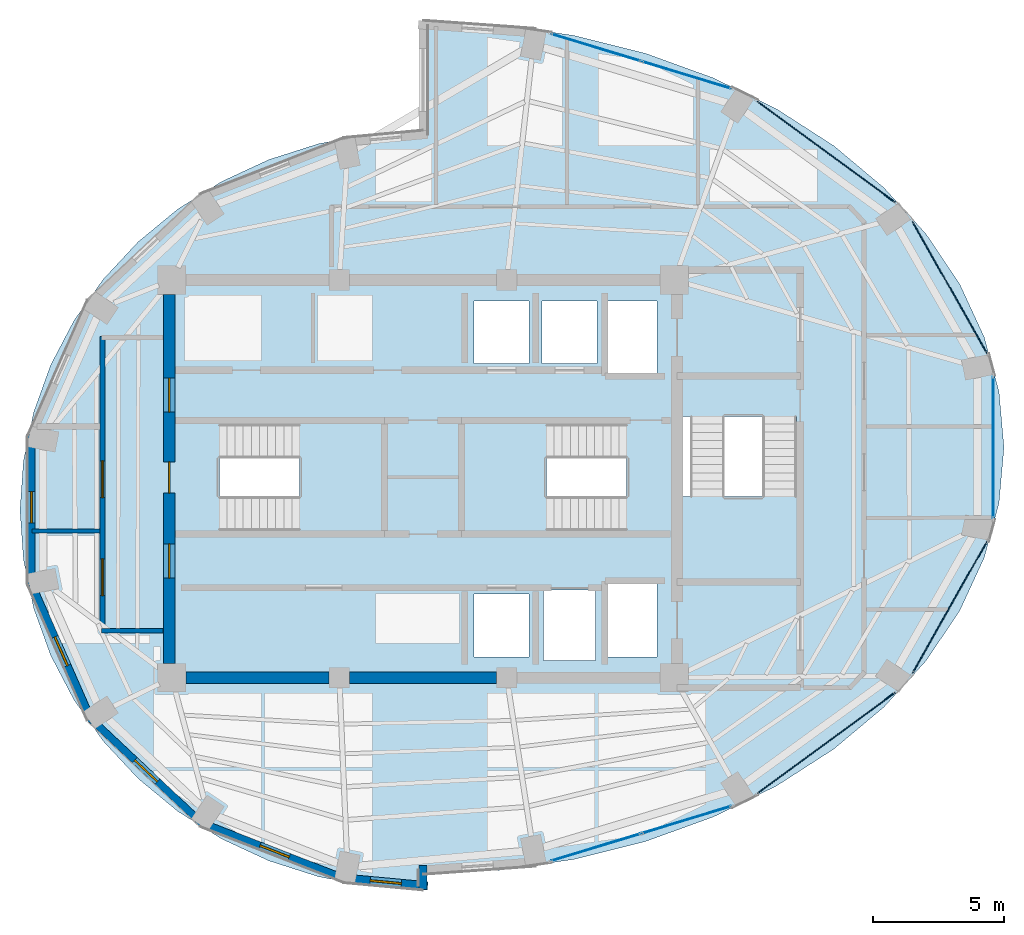
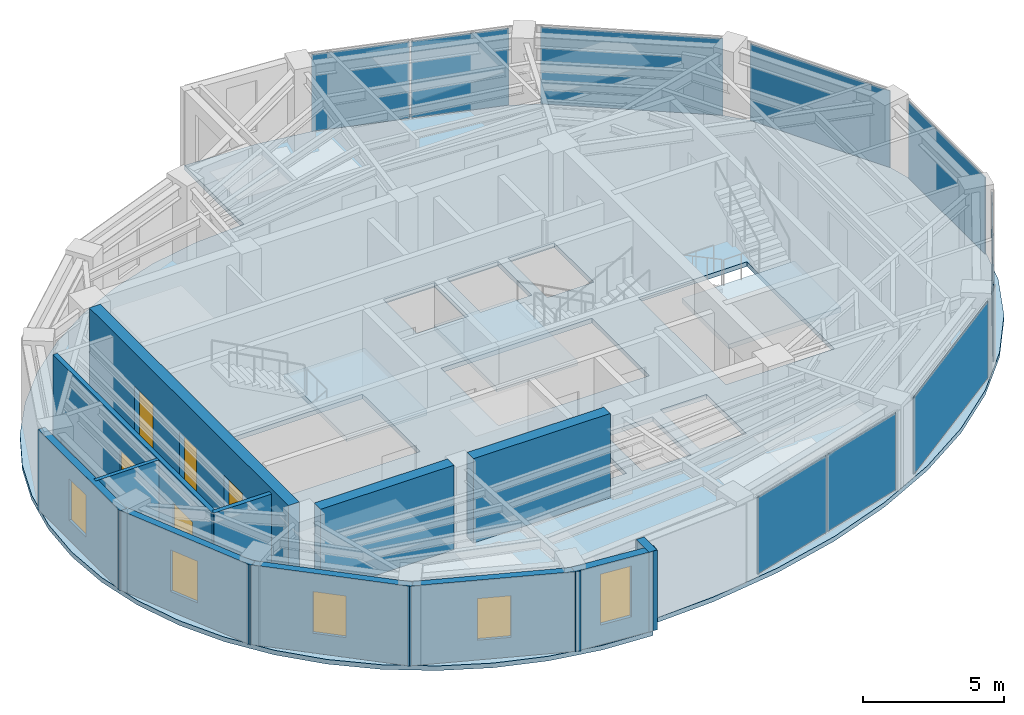
# One storey, part 8 of 13: 12 walls, 9 plates, 5 doors, 5 windows, 4 slabs, 10 openings, 10 elements without a shape of their own.
"""IFC4 building model written with IfcOpenShell, lengths in metres."""

import ifcopenshell
import ifcopenshell.guid

model = None  # the IFC model being written
_history = None  # IfcOwnerHistory: only IFC2X3 demands one
_inside = {}  # id of a spatial element -> (the spatial element, [elements in it])
_under = {}  # id of a project, library or spatial element -> (it, [spatial elements below it])
_declared = {}  # id of a project -> (the project, [libraries it declares])
_typed = {}  # id of a type object -> (the type object, [elements of that type])
_made_of = {}  # id of a material, layer set ... -> (it, [elements and type objects made of it])


def new_model(schema):
    """Start an empty IFC model of exactly this schema.

    Asked for "IFC4X3", IfcOpenShell would pick the latest addendum, in which some entities
    have other attributes; the version numbers below select the first issue.
    IFC2X3 requires an IfcOwnerHistory on every rooted entity: one is made here for all.
    """
    global model, _history
    if schema == "IFC4X3":
        model = ifcopenshell.file(schema_version=(4, 3, 0, 0))
    else:
        model = ifcopenshell.file(schema=schema)
    _inside.clear()
    _under.clear()
    _declared.clear()
    _typed.clear()
    _made_of.clear()
    _history = None
    if model.schema == "IFC2X3":
        org = make("IfcOrganization", Name="unknown")
        user = make(
            "IfcPersonAndOrganization",
            ThePerson=make("IfcPerson", FamilyName="unknown"),
            TheOrganization=org,
        )
        app = make(
            "IfcApplication",
            ApplicationDeveloper=org,
            Version="unknown",
            ApplicationFullName="unknown",
            ApplicationIdentifier="unknown",
        )
        _history = make(
            "IfcOwnerHistory",
            OwningUser=user,
            OwningApplication=app,
            ChangeAction="ADDED",
            CreationDate=0,
        )
    return model


def make(cls, **values):
    """One entity of the class cls with the attributes given. An attribute that is None is left unset."""
    return model.create_entity(
        cls, **{name: value for name, value in values.items() if value is not None}
    )


def rooted(cls, **values):
    """An entity with a GlobalId (a new one), such as an element, a storey or a relation."""
    return make(cls, GlobalId=ifcopenshell.guid.new(), OwnerHistory=_history, **values)


def si_unit(unit_type, name, prefix=None):
    """IfcSIUnit, for example si_unit("LENGTHUNIT", "METRE", prefix="MILLI")."""
    return make("IfcSIUnit", UnitType=unit_type, Prefix=prefix, Name=name)


def assignment(units):
    """IfcUnitAssignment: the units of a project."""
    return None if units is None else make("IfcUnitAssignment", Units=units)


def point(xyz):
    """IfcCartesianPoint."""
    return None if xyz is None else make("IfcCartesianPoint", Coordinates=xyz)


def direction(xyz):
    """IfcDirection."""
    return None if xyz is None else make("IfcDirection", DirectionRatios=xyz)


def frame(location, z_axis=None, x_axis=None):
    """IfcAxis2Placement3D, a coordinate frame: its origin and axes. An axis left out is left unset."""
    return make(
        "IfcAxis2Placement3D",
        Location=point(location),
        Axis=direction(z_axis),
        RefDirection=direction(x_axis),
    )


def frame_2d(location, x_axis=None):
    """IfcAxis2Placement2D, a coordinate frame in the plane: its origin and x axis."""
    return make(
        "IfcAxis2Placement2D", Location=point(location), RefDirection=direction(x_axis)
    )


def origin():
    """The frame at (0, 0, 0) with its axes left unset."""
    return frame((0.0, 0.0, 0.0))


def origin_2d():
    """The frame at (0, 0) in the plane with its x axis left unset."""
    return frame_2d((0.0, 0.0))


def place(relative_to, where):
    """IfcLocalPlacement: puts the frame where relative to a parent placement (None: the world)."""
    return make(
        "IfcLocalPlacement", PlacementRelTo=relative_to, RelativePlacement=where
    )


def context(
    kind, dimensions, precision=None, world=None, true_north=None, identifier=None
):
    """IfcGeometricRepresentationContext, for example the 3D "Model" context."""
    return make(
        "IfcGeometricRepresentationContext",
        ContextIdentifier=identifier,
        ContextType=kind,
        CoordinateSpaceDimension=dimensions,
        Precision=precision,
        WorldCoordinateSystem=world,
        TrueNorth=true_north,
    )


def subcontext(parent, identifier, kind, view, scale=None):
    """IfcGeometricRepresentationSubContext, for example "Body" below "Model"."""
    return make(
        "IfcGeometricRepresentationSubContext",
        ContextIdentifier=identifier,
        ContextType=kind,
        ParentContext=parent,
        TargetScale=scale,
        TargetView=view,
    )


def project(units=None, contexts=None):
    """IfcProject with its units and contexts."""
    return rooted(
        "IfcProject",
        Name="project",
        RepresentationContexts=contexts,
        UnitsInContext=assignment(units),
    )


def spatial(cls, under=None, at=None, **own):
    """A site, building, storey or space (cls), placed at a placement, below another one or the project."""
    s = rooted(cls, ObjectPlacement=at, **own)
    if under is not None:
        _under.setdefault(under.id(), (under, []))[1].append(s)
    return s


def polyline(points):
    """IfcPolyline through the points."""
    return make("IfcPolyline", Points=[point(p) for p in points])


def profile(cls, at=None, kind="AREA", **sizes):
    """A parametric profile (cls). Its sizes go by their IFC names, for example OverallWidth=200.0."""
    return make(cls, ProfileType=kind, Position=at, **sizes)


def rectangle(**sizes):
    """IfcRectangleProfileDef."""
    return profile("IfcRectangleProfileDef", **sizes)


def outline(outer, holes=None, kind="AREA"):
    """IfcArbitraryClosedProfileDef: a profile drawn as a closed curve; with holes, ...WithVoids."""
    if holes is None:
        return make("IfcArbitraryClosedProfileDef", ProfileType=kind, OuterCurve=outer)
    return make(
        "IfcArbitraryProfileDefWithVoids",
        ProfileType=kind,
        OuterCurve=outer,
        InnerCurves=holes,
    )


def extrude(swept, where, along, depth):
    """IfcExtrudedAreaSolid: the profile swept, set in the frame where, extruded along a direction by depth."""
    return make(
        "IfcExtrudedAreaSolid",
        SweptArea=swept,
        Position=where,
        ExtrudedDirection=direction(along),
        Depth=depth,
    )


def shape(context_of_items, identifier, shape_type, items):
    """IfcShapeRepresentation: the items that make up one representation, for example the "Body"."""
    return make(
        "IfcShapeRepresentation",
        ContextOfItems=context_of_items,
        RepresentationIdentifier=identifier,
        RepresentationType=shape_type,
        Items=items,
    )


def material(Name=None, Category=None):
    """IfcMaterial."""
    return make("IfcMaterial", Name=Name, Category=Category)


def layer(
    of_material, thickness, ventilated=None, Name=None, Category=None, Priority=None
):
    """IfcMaterialLayer: one layer of a wall or slab, of a material (None: an air gap)."""
    return make(
        "IfcMaterialLayer",
        Material=of_material,
        LayerThickness=thickness,
        IsVentilated=ventilated,
        Name=Name,
        Category=Category,
        Priority=Priority,
    )


def layer_set(layers, Name=None):
    """IfcMaterialLayerSet."""
    return make("IfcMaterialLayerSet", MaterialLayers=layers, LayerSetName=Name)


def made_of(thing, what):
    """Note that an element or type object is made of a material, layer set ...; save() writes the relation."""
    if what is not None:
        _made_of.setdefault(what.id(), (what, []))[1].append(thing)
    return thing


def type_object(cls, material=None, **own):
    """A type object (cls), such as IfcWallType, which elements share."""
    return made_of(rooted(cls, **own), material)


def element(
    cls,
    number,
    at=None,
    inside=None,
    cuts=None,
    type_object=None,
    material=None,
    context=None,
    identifier="Body",
    shape_type=None,
    held_by="IfcProductDefinitionShape",
    body=None,
    shapes=None,
    **own,
):
    """One element of the class cls, such as IfcWall. Its Tag is "e" and its number.

    at: its placement. inside: the storey or other place that contains it. cuts: it is an
    opening in that element (IfcRelVoidsElement). A single representation is given by context,
    identifier, shape_type and body (its items); several are given by shapes. held_by: the class
    of the entity that holds the representations. save() writes the other relations.
    """
    e = rooted(cls, Tag="e%d" % number, ObjectPlacement=at, **own)
    if body is not None:
        shapes = [shape(context, identifier, shape_type, body)]
    if shapes is not None:
        e.Representation = make(held_by, Representations=shapes)
    if inside is not None:
        _inside.setdefault(inside.id(), (inside, []))[1].append(e)
    if cuts is not None:
        rooted(
            "IfcRelVoidsElement", RelatingBuildingElement=cuts, RelatedOpeningElement=e
        )
    if type_object is not None:
        _typed.setdefault(type_object.id(), (type_object, []))[1].append(e)
    return made_of(e, material)


def fill(opening, filler):
    """IfcRelFillsElement: the door or window that sits in an opening."""
    return rooted(
        "IfcRelFillsElement",
        RelatingOpeningElement=opening,
        RelatedBuildingElement=filler,
    )


def aggregate(whole, parts):
    """IfcRelAggregates: a whole, such as a stair, and the parts it consists of."""
    return rooted("IfcRelAggregates", RelatingObject=whole, RelatedObjects=parts)


def save(model, path):
    """Write the relations noted so far, then the file.

    IfcRelAggregates (storeys below a building ...), IfcRelContainedInSpatialStructure (elements
    in a storey), IfcRelDefinesByType, IfcRelAssociatesMaterial and IfcRelDeclares: one each for
    every whole, place, type object, material and project.
    """
    for whole, parts in _under.values():
        aggregate(whole, parts)
    for where, things in _inside.values():
        rooted(
            "IfcRelContainedInSpatialStructure",
            RelatedElements=things,
            RelatingStructure=where,
        )
    for kind, things in _typed.values():
        rooted("IfcRelDefinesByType", RelatedObjects=things, RelatingType=kind)
    for what, things in _made_of.values():
        rooted("IfcRelAssociatesMaterial", RelatedObjects=things, RelatingMaterial=what)
    for by, libraries in _declared.values():
        rooted("IfcRelDeclares", RelatingContext=by, RelatedDefinitions=libraries)
    model.write(path)


model = new_model("IFC4")

# Units and contexts
model_context = context("Model", 3, precision=1e-05, world=origin(), true_north=direction((0.0, 1.0)))
body_context = subcontext(model_context, "Body", "Model", "MODEL_VIEW")
ifc_project = project(units=[si_unit("LENGTHUNIT", "METRE"), si_unit("AREAUNIT", "SQUARE_METRE"), si_unit("VOLUMEUNIT", "CUBIC_METRE"), si_unit("PLANEANGLEUNIT", "RADIAN"), si_unit("MASSUNIT", "GRAM", prefix="KILO")], contexts=[model_context])

# Site, building, storey
site_placement = place(None, origin())
site = spatial("IfcSite", under=ifc_project, at=site_placement, CompositionType="ELEMENT")
building_placement = place(site_placement, origin())
building = spatial("IfcBuilding", under=site, at=building_placement, Name="Lazwardi Medical Tower", CompositionType="ELEMENT")
storey_placement = place(building_placement, frame((0.0, 0.0, 276.912109375)))
storey = spatial("IfcBuildingStorey", under=building, at=storey_placement, Name="L72", CompositionType="ELEMENT", Elevation=276.912109375)

# Curtain wall, plates
ifc_material_1 = material(Name="Anodised bronze aluminium and solar control glazing", Category="aluminium")
ifc_layer_1 = layer(ifc_material_1, 0.18994140625)
ifc_layer_set_1 = layer_set([ifc_layer_1], Name="Anodised bronze aluminium and solar control glazing")
curtain_wall_type = type_object("IfcCurtainWallType", Name="CW-SYS-04", PredefinedType="NOTDEFINED", material=ifc_layer_set_1)
curtain_wall_1_placement = place(storey_placement, origin())
curtain_wall_1 = element("IfcCurtainWall", 1, at=curtain_wall_1_placement, inside=storey, type_object=curtain_wall_type, Name="L72 Unitised bronze curtain wall CW-04", PredefinedType="NOTDEFINED")
ifc_material_2 = material(Name="Low-e bronze solar control double glazing", Category="glass")
ifc_layer_2 = layer(ifc_material_2, 0.035888671875)
ifc_layer_set_2 = layer_set([ifc_layer_2], Name="Low-e bronze solar control double glazing")
plate_type = type_object("IfcPlateType", Name="PLT-GLZ-01", PredefinedType="CURTAIN_PANEL", material=ifc_layer_set_2)
plate_1_placement = place(storey_placement, frame((42.604736328125, 13.918701171875, 0.06494140625), z_axis=(0.0, 0.0, 1.0), x_axis=(0.956850126972, 0.290581889515, 0.0)))
plate_1 = element("IfcPlate", 2, at=plate_1_placement, type_object=plate_type, Name="CW-04 panel 1.1", PredefinedType="CURTAIN_PANEL", context=body_context, shape_type="SweptSolid", body=[
    extrude(rectangle(XDim=3.554443359375, YDim=0.035888671875, at=origin_2d()), origin(), (0.0, 0.0, 1.0), 3.318115234375),
])
plate_2_placement = place(storey_placement, frame((46.068115234375, 14.970458984375, 0.06494140625), z_axis=(0.0, 0.0, 1.0), x_axis=(0.956850126972, 0.290581889515, 0.0)))
plate_2 = element("IfcPlate", 3, at=plate_2_placement, type_object=plate_type, Name="CW-04 panel 2.1", PredefinedType="CURTAIN_PANEL", context=body_context, shape_type="SweptSolid", body=[
    extrude(rectangle(XDim=3.554443359375, YDim=0.035888671875, at=origin_2d()), origin(), (0.0, 0.0, 1.0), 3.318115234375),
])
aggregate(curtain_wall_1, [plate_1, plate_2])

# Curtain wall, plate
curtain_wall_2_placement = place(storey_placement, origin())
curtain_wall_2 = element("IfcCurtainWall", 4, at=curtain_wall_2_placement, inside=storey, type_object=curtain_wall_type, Name="L72 Unitised bronze curtain wall CW-04", PredefinedType="NOTDEFINED")
plate_3_placement = place(storey_placement, frame((51.403564453125, 17.90673828125, 0.06494140625), z_axis=(0.0, 0.0, 1.0), x_axis=(0.806474971121, 0.591268230971, 0.0)))
plate_3 = element("IfcPlate", 5, at=plate_3_placement, type_object=plate_type, Name="CW-04 panel 1.1", PredefinedType="CURTAIN_PANEL", context=body_context, shape_type="SweptSolid", body=[
    extrude(rectangle(XDim=6.502685546875, YDim=0.035888671875, at=origin_2d()), origin(), (0.0, 0.0, 1.0), 3.318115234375),
])
aggregate(curtain_wall_2, [plate_3])

curtain_wall_3_placement = place(storey_placement, origin())
curtain_wall_3 = element("IfcCurtainWall", 6, at=curtain_wall_3_placement, inside=storey, type_object=curtain_wall_type, Name="L72 Unitised bronze curtain wall CW-04", PredefinedType="NOTDEFINED")
plate_4_placement = place(storey_placement, frame((56.125732421875, 23.088134765625, 0.06494140625), z_axis=(0.0, 0.0, 1.0), x_axis=(0.491900474661, 0.870651436011, 0.0)))
plate_4 = element("IfcPlate", 7, at=plate_4_placement, type_object=plate_type, Name="CW-04 panel 1.1", PredefinedType="CURTAIN_PANEL", context=body_context, shape_type="SweptSolid", body=[
    extrude(rectangle(XDim=5.755126953125, YDim=0.035888671875, at=origin_2d()), origin(), (0.0, 0.0, 1.0), 3.318115234375),
])
aggregate(curtain_wall_3, [plate_4])

curtain_wall_4_placement = place(storey_placement, origin())
curtain_wall_4 = element("IfcCurtainWall", 8, at=curtain_wall_4_placement, inside=storey, type_object=curtain_wall_type, Name="L72 Unitised bronze curtain wall CW-04", PredefinedType="NOTDEFINED")
plate_5_placement = place(storey_placement, frame((57.7841796875, 29.199951171875, 0.06494140625), z_axis=(0.0, 0.0, 1.0), x_axis=(0.0, 1.0, 0.0)))
plate_5 = element("IfcPlate", 9, at=plate_5_placement, type_object=plate_type, Name="CW-04 panel 1.1", PredefinedType="CURTAIN_PANEL", context=body_context, shape_type="SweptSolid", body=[
    extrude(rectangle(XDim=5.416015625, YDim=0.035888671875, at=origin_2d()), origin(), (0.0, 0.0, 1.0), 3.318115234375),
])
aggregate(curtain_wall_4, [plate_5])

curtain_wall_5_placement = place(storey_placement, origin())
curtain_wall_5 = element("IfcCurtainWall", 10, at=curtain_wall_5_placement, inside=storey, type_object=curtain_wall_type, Name="L72 Unitised bronze curtain wall CW-04", PredefinedType="NOTDEFINED")
plate_6_placement = place(storey_placement, frame((56.125732421875, 35.311767578125, 0.06494140625), z_axis=(0.0, 0.0, 1.0), x_axis=(-0.491900474661, 0.870651436011, 0.0)))
plate_6 = element("IfcPlate", 11, at=plate_6_placement, type_object=plate_type, Name="CW-04 panel 1.1", PredefinedType="CURTAIN_PANEL", context=body_context, shape_type="SweptSolid", body=[
    extrude(rectangle(XDim=5.755126953125, YDim=0.035888671875, at=origin_2d()), origin(), (0.0, 0.0, 1.0), 3.318115234375),
])
aggregate(curtain_wall_5, [plate_6])

curtain_wall_6_placement = place(storey_placement, origin())
curtain_wall_6 = element("IfcCurtainWall", 12, at=curtain_wall_6_placement, inside=storey, type_object=curtain_wall_type, Name="L72 Unitised bronze curtain wall CW-04", PredefinedType="NOTDEFINED")
plate_7_placement = place(storey_placement, frame((51.403564453125, 40.4931640625, 0.06494140625), z_axis=(0.0, 0.0, 1.0), x_axis=(-0.806474971121, 0.591268230971, 0.0)))
plate_7 = element("IfcPlate", 13, at=plate_7_placement, type_object=plate_type, Name="CW-04 panel 1.1", PredefinedType="CURTAIN_PANEL", context=body_context, shape_type="SweptSolid", body=[
    extrude(rectangle(XDim=6.502685546875, YDim=0.035888671875, at=origin_2d()), origin(), (0.0, 0.0, 1.0), 3.318115234375),
])
aggregate(curtain_wall_6, [plate_7])

# Curtain wall, plates
curtain_wall_7_placement = place(storey_placement, origin())
curtain_wall_7 = element("IfcCurtainWall", 14, at=curtain_wall_7_placement, inside=storey, type_object=curtain_wall_type, Name="L72 Unitised bronze curtain wall CW-04", PredefinedType="NOTDEFINED")
plate_8_placement = place(storey_placement, frame((46.068115234375, 43.429443359375, 0.06494140625), z_axis=(0.0, 0.0, 1.0), x_axis=(-0.956850126972, 0.290581889515, 0.0)))
plate_8 = element("IfcPlate", 15, at=plate_8_placement, type_object=plate_type, Name="CW-04 panel 1.1", PredefinedType="CURTAIN_PANEL", context=body_context, shape_type="SweptSolid", body=[
    extrude(rectangle(XDim=3.554443359375, YDim=0.035888671875, at=origin_2d()), origin(), (0.0, 0.0, 1.0), 3.318115234375),
])
plate_9_placement = place(storey_placement, frame((42.604736328125, 44.481201171875, 0.06494140625), z_axis=(0.0, 0.0, 1.0), x_axis=(-0.956850126972, 0.290581889515, 0.0)))
plate_9 = element("IfcPlate", 16, at=plate_9_placement, type_object=plate_type, Name="CW-04 panel 2.1", PredefinedType="CURTAIN_PANEL", context=body_context, shape_type="SweptSolid", body=[
    extrude(rectangle(XDim=3.554443359375, YDim=0.035888671875, at=origin_2d()), origin(), (0.0, 0.0, 1.0), 3.318115234375),
])
aggregate(curtain_wall_7, [plate_8, plate_9])

# Stair, slab
ifc_material_3 = material(Name="Concrete C45/55", Category="concrete")
stair_type = type_object("IfcStairType", Name="STR-WRD", PredefinedType="HALF_TURN_STAIR", material=ifc_material_3)
stair_1_placement = place(storey_placement, origin())
stair_1 = element("IfcStair", 17, at=stair_1_placement, inside=storey, type_object=stair_type, Name="L72 Protected Exit Stair ST1", PredefinedType="HALF_TURN_STAIR")
ifc_layer_3 = layer(ifc_material_3, 0.199951171875)
ifc_layer_set_3 = layer_set([ifc_layer_3], Name="Concrete C45/55")
slab_type_1 = type_object("IfcSlabType", Name="SLB-LND-190", PredefinedType="LANDING", material=ifc_layer_set_3)
slab_1_placement = place(storey_placement, frame((0.0, 0.0, 1.623779296875)))
slab_1 = element("IfcSlab", 18, at=slab_1_placement, type_object=slab_type_1, Name="ST1 landing 1", PredefinedType="LANDING", context=body_context, shape_type="SweptSolid", body=[
    extrude(outline(polyline([(31.27490234375, 25.840087890625), (34.580078125, 25.840087890625), (34.580078125, 30.280029296875), (31.27490234375, 30.280029296875), (31.27490234375, 25.840087890625)])), origin(), (0.0, 0.0, 1.0), 0.2001953125),
])
aggregate(stair_1, [slab_1])

stair_2_placement = place(storey_placement, origin())
stair_2 = element("IfcStair", 19, at=stair_2_placement, inside=storey, type_object=stair_type, Name="L72 Protected Exit Stair ST2", PredefinedType="HALF_TURN_STAIR")
slab_2_placement = place(storey_placement, frame((0.0, 0.0, 1.623779296875)))
slab_2 = element("IfcSlab", 20, at=slab_2_placement, type_object=slab_type_1, Name="ST2 landing 1", PredefinedType="LANDING", context=body_context, shape_type="SweptSolid", body=[
    extrude(outline(polyline([(40.72509765625, 30.280029296875), (37.419921875, 30.280029296875), (37.419921875, 25.840087890625), (40.72509765625, 25.840087890625), (40.72509765625, 30.280029296875)])), origin(), (0.0, 0.0, 1.0), 0.2001953125),
])
aggregate(stair_2, [slab_2])

stair_3_placement = place(storey_placement, origin())
stair_3 = element("IfcStair", 21, at=stair_3_placement, inside=storey, type_object=stair_type, Name="L72 Protected Exit Stair ST3", PredefinedType="HALF_TURN_STAIR")
slab_3_placement = place(storey_placement, frame((0.0, 0.0, 1.623779296875)))
slab_3 = element("IfcSlab", 22, at=slab_3_placement, type_object=slab_type_1, Name="ST3 landing 1", PredefinedType="LANDING", context=body_context, shape_type="SweptSolid", body=[
    extrude(outline(polyline([(45.860107421875, 27.324951171875), (45.860107421875, 24.02001953125), (50.4599609375, 24.02001953125), (50.4599609375, 27.324951171875), (45.860107421875, 27.324951171875)])), origin(), (0.0, 0.0, 1.0), 0.2001953125),
])
aggregate(stair_3, [slab_3])

# Slab
ifc_material_4 = material(Name="Concrete C50/60", Category="concrete")
ifc_layer_4 = layer(ifc_material_4, 0.199951171875)
ifc_layer_set_4 = layer_set([ifc_layer_4], Name="Concrete C50/60")
slab_type_2 = type_object("IfcSlabType", Name="SLB-UPP-200", PredefinedType="FLOOR", material=ifc_layer_set_4)
slab_4_placement = place(storey_placement, frame((0.0, 0.0, -0.2001953125)))
element("IfcSlab", 23, at=slab_4_placement, inside=storey, type_object=slab_type_2, Name="Structural floor slab SF-04 L72", PredefinedType="FLOOR", context=body_context, shape_type="SweptSolid", body=[
    extrude(outline(polyline([(23.782470703125, 17.972900390625), (25.110595703125, 16.547119140625), (26.625, 15.29638671875), (28.300048828125, 14.24267578125), (30.106689453125, 13.40380859375), (32.01416015625, 12.794189453125), (33.989990234375, 12.424072265625), (36.0, 12.300048828125), (36.0, 12.89990234375), (38.897705078125, 13.039306640625), (41.745849609375, 13.455322265625), (44.49560546875, 14.140869140625), (47.10009765625, 15.083740234375), (49.514404296875, 16.268310546875), (51.69775390625, 17.67431640625), (53.6123046875, 19.277099609375), (55.225830078125, 21.050048828125), (56.510009765625, 22.96240234375), (57.443603515625, 24.981201171875), (58.010009765625, 27.072509765625), (58.199951171875, 29.199951171875), (58.010009765625, 31.32763671875), (57.443603515625, 33.418701171875), (56.510009765625, 35.437744140625), (55.225830078125, 37.35009765625), (53.6123046875, 39.122802734375), (51.69775390625, 40.725830078125), (49.514404296875, 42.131591796875), (47.10009765625, 43.316162109375), (44.49560546875, 44.25927734375), (41.745849609375, 44.944580078125), (38.897705078125, 45.360595703125), (36.0, 45.5), (36.0, 41.300048828125), (33.989990234375, 41.176025390625), (32.01416015625, 40.805908203125), (30.106689453125, 40.1962890625), (28.300048828125, 39.357421875), (26.625, 38.3037109375), (25.110595703125, 37.052978515625), (23.782470703125, 35.626953125), (22.6630859375, 34.050048828125), (21.772216796875, 32.348876953125), (21.124755859375, 30.552978515625), (20.731689453125, 28.692626953125), (20.60009765625, 26.800048828125), (20.731689453125, 24.907470703125), (21.124755859375, 23.047119140625), (21.772216796875, 21.251220703125), (22.6630859375, 19.550048828125), (23.782470703125, 17.972900390625)]), holes=[polyline([(28.22509765625, 26.02001953125), (28.22509765625, 30.10009765625), (34.39990234375, 30.10009765625), (34.39990234375, 26.02001953125), (28.22509765625, 26.02001953125)]), polyline([(37.60009765625, 30.10009765625), (43.77490234375, 30.10009765625), (43.77490234375, 26.02001953125), (37.60009765625, 26.02001953125), (37.60009765625, 30.10009765625)]), polyline([(50.280029296875, 30.375), (50.280029296875, 24.179931640625), (45.840087890625, 24.179931640625), (45.840087890625, 30.375), (50.280029296875, 30.375)]), polyline([(40.050048828125, 32.39990234375), (37.949951171875, 32.39990234375), (37.949951171875, 34.800048828125), (40.050048828125, 34.800048828125), (40.050048828125, 32.39990234375)]), polyline([(40.550048828125, 32.39990234375), (40.550048828125, 34.800048828125), (42.64990234375, 34.800048828125), (42.64990234375, 32.39990234375), (40.550048828125, 32.39990234375)]), polyline([(37.949951171875, 23.60009765625), (40.050048828125, 23.60009765625), (40.050048828125, 21.199951171875), (37.949951171875, 21.199951171875), (37.949951171875, 23.60009765625)]), polyline([(44.949951171875, 34.800048828125), (44.949951171875, 32.0), (43.050048828125, 32.0), (43.050048828125, 34.800048828125), (44.949951171875, 34.800048828125)]), polyline([(44.949951171875, 21.199951171875), (43.050048828125, 21.199951171875), (43.050048828125, 24.0), (44.949951171875, 24.0), (44.949951171875, 21.199951171875)]), polyline([(40.60009765625, 21.050048828125), (40.60009765625, 23.75), (42.60009765625, 23.75), (42.60009765625, 21.050048828125), (40.60009765625, 21.050048828125)])]), origin(), (0.0, 0.0, 1.0), 0.2001953125),
])

# Wall
ifc_material_5 = material(Name="Fire-rated gypsum board on steel stud", Category="steel")
ifc_layer_5 = layer(ifc_material_5, 0.179931640625)
ifc_layer_set_5 = layer_set([ifc_layer_5], Name="Fire-rated gypsum board on steel stud")
wall_type_1 = type_object("IfcWallType", Name="WL-COR-180", PredefinedType="PARTITIONING", material=ifc_layer_set_5)
wall_1_placement = place(storey_placement, frame((26.06005859375, 22.199951171875, 0.0), z_axis=(0.0, 0.0, 1.0), x_axis=(-1.0, 0.0, 0.0)))
element("IfcWall", 24, at=wall_1_placement, inside=storey, type_object=wall_type_1, Name="L72 Corridor partition 7", PredefinedType="PARTITIONING", context=body_context, shape_type="SweptSolid", body=[
    extrude(rectangle(XDim=2.35009765625, YDim=0.179931640625, at=frame_2d((1.175048828125, 0.0))), origin(), (0.0, 0.0, 1.0), 3.447998046875),
])

# Wall, openings, doors
wall_2_placement = place(storey_placement, frame((23.75, 22.159912109375, 0.0), z_axis=(0.0, 0.0, 1.0), x_axis=(0.0, 1.0, 0.0)))
wall_2 = element("IfcWall", 25, at=wall_2_placement, inside=storey, type_object=wall_type_1, Name="L72 Corridor partition 8", PredefinedType="PARTITIONING", context=body_context, shape_type="SweptSolid", body=[
    extrude(rectangle(XDim=11.280029296875, YDim=0.179931640625, at=frame_2d((5.64013671875, 0.0))), origin(), (0.0, 0.0, 1.0), 3.447998046875),
])
opening_1_placement = place(wall_2_placement, frame((5.12255859375, 0.0, 0.0)))
opening_1 = element("IfcOpeningElement", 26, at=opening_1_placement, cuts=wall_2, Name="Opening D-L72-010", PredefinedType="OPENING", context=body_context, shape_type="SweptSolid", body=[
    extrude(rectangle(XDim=1.39990234375, YDim=2.199951171875, at=frame_2d((0.699951171875, 1.10009765625))), frame((0.0, 0.099853515625, 0.0), z_axis=(0.0, -1.0, 0.0), x_axis=(1.0, 0.0, 0.0)), (0.0, 0.0, 1.0), 0.199951171875),
])
opening_2_placement = place(wall_2_placement, frame((1.37890625, 0.0, 0.0)))
opening_2 = element("IfcOpeningElement", 27, at=opening_2_placement, cuts=wall_2, Name="Opening D-L72-011", PredefinedType="OPENING", context=body_context, shape_type="SweptSolid", body=[
    extrude(rectangle(XDim=1.39990234375, YDim=2.199951171875, at=frame_2d((0.699951171875, 1.10009765625))), frame((0.0, 0.099853515625, 0.0), z_axis=(0.0, -1.0, 0.0), x_axis=(1.0, 0.0, 0.0)), (0.0, 0.0, 1.0), 0.199951171875),
])
ifc_material_6 = material(Name="Anti-microbial laminate hospital leaf")
door_type_1 = type_object("IfcDoorType", Name="DR-BED-1400", OperationType="NOTDEFINED", PredefinedType="DOOR", material=ifc_material_6)
door_1_placement = place(opening_1_placement, origin())
door_1 = element("IfcDoor", 28, at=door_1_placement, inside=storey, type_object=door_type_1, Name="L72 Outpatient Clinic Door 01", OperationType="SINGLE_SWING_RIGHT", OverallHeight=2.199951171875, OverallWidth=1.39990234375, PredefinedType="DOOR", context=body_context, shape_type="SweptSolid", body=[
    extrude(rectangle(XDim=1.39990234375, YDim=2.199951171875, at=frame_2d((0.699951171875, 1.10009765625))), frame((0.0, 0.02490234375, 0.0), z_axis=(0.0, -1.0, 0.0), x_axis=(1.0, 0.0, 0.0)), (0.0, 0.0, 1.0), 0.050048828125),
])
fill(opening_1, door_1)
door_2_placement = place(opening_2_placement, origin())
door_2 = element("IfcDoor", 29, at=door_2_placement, inside=storey, type_object=door_type_1, Name="L72 Patient Day Lounge Door 02", OperationType="SINGLE_SWING_LEFT", OverallHeight=2.199951171875, OverallWidth=1.39990234375, PredefinedType="DOOR", context=body_context, shape_type="SweptSolid", body=[
    extrude(rectangle(XDim=1.39990234375, YDim=2.199951171875, at=frame_2d((0.699951171875, 1.10009765625))), frame((0.0, 0.02490234375, 0.0), z_axis=(0.0, -1.0, 0.0), x_axis=(1.0, 0.0, 0.0)), (0.0, 0.0, 1.0), 0.050048828125),
])
fill(opening_2, door_2)

ifc_material_7 = material(Name="Concrete C60/75", Category="concrete")
ifc_layer_6 = layer(ifc_material_7, 0.449951171875)
ifc_layer_set_6 = layer_set([ifc_layer_6], Name="Concrete C60/75")
wall_type_2 = type_object("IfcWallType", Name="WL-CORE-450", PredefinedType="SHEAR", material=ifc_layer_set_6)
wall_3_placement = place(storey_placement, frame((26.300048828125, 20.949951171875, 0.0), z_axis=(0.0, 0.0, 1.0), x_axis=(0.0, 1.0, 0.0)))
wall_3 = element("IfcWall", 30, at=wall_3_placement, inside=storey, type_object=wall_type_2, Name="Core wall CW-S4 west L72", PredefinedType="SHEAR", context=body_context, shape_type="SweptSolid", body=[
    extrude(rectangle(XDim=14.10009765625, YDim=0.449951171875, at=frame_2d((7.050048828125, 0.0))), origin(), (0.0, 0.0, 1.0), 3.64794921875),
])
opening_3_placement = place(wall_3_placement, frame((6.5, 0.0, 0.0)))
opening_3 = element("IfcOpeningElement", 31, at=opening_3_placement, cuts=wall_3, Name="Opening D-L72-019", PredefinedType="OPENING", context=body_context, shape_type="SweptSolid", body=[
    extrude(rectangle(XDim=1.199951171875, YDim=2.14990234375, at=frame_2d((0.60009765625, 1.074951171875))), frame((0.0, 0.23486328125, 0.0), z_axis=(0.0, -1.0, 0.0), x_axis=(1.0, 0.0, 0.0)), (0.0, 0.0, 1.0), 0.469970703125),
])
opening_4_placement = place(wall_3_placement, frame((9.60009765625, 0.0, 0.0)))
opening_4 = element("IfcOpeningElement", 32, at=opening_4_placement, cuts=wall_3, Name="Opening D-L72-008", PredefinedType="OPENING", context=body_context, shape_type="SweptSolid", body=[
    extrude(rectangle(XDim=1.300048828125, YDim=2.199951171875, at=frame_2d((0.64990234375, 1.10009765625))), frame((0.0, 0.23486328125, 0.0), z_axis=(0.0, -1.0, 0.0), x_axis=(1.0, 0.0, 0.0)), (0.0, 0.0, 1.0), 0.469970703125),
])
opening_5_placement = place(wall_3_placement, frame((3.260009765625, 0.0, 0.0)))
opening_5 = element("IfcOpeningElement", 33, at=opening_5_placement, cuts=wall_3, Name="Opening D-L72-009", PredefinedType="OPENING", context=body_context, shape_type="SweptSolid", body=[
    extrude(rectangle(XDim=1.300048828125, YDim=2.199951171875, at=frame_2d((0.64990234375, 1.10009765625))), frame((0.0, 0.23486328125, 0.0), z_axis=(0.0, -1.0, 0.0), x_axis=(1.0, 0.0, 0.0)), (0.0, 0.0, 1.0), 0.469970703125),
])
ifc_material_8 = material(Name="Fire-rated steel leaf and frame", Category="steel")
door_type_2 = type_object("IfcDoorType", Name="DR-FFL-1300", OperationType="NOTDEFINED", PredefinedType="DOOR", material=ifc_material_8)
door_3_placement = place(opening_4_placement, origin())
door_3 = element("IfcDoor", 34, at=door_3_placement, inside=storey, type_object=door_type_2, Name="L72 North Lift Lobby Door", OperationType="SINGLE_SWING_RIGHT", OverallHeight=2.199951171875, OverallWidth=1.300048828125, PredefinedType="DOOR", context=body_context, shape_type="SweptSolid", body=[
    extrude(rectangle(XDim=1.300048828125, YDim=2.199951171875, at=frame_2d((0.64990234375, 1.10009765625))), frame((0.0, 0.02490234375, 0.0), z_axis=(0.0, -1.0, 0.0), x_axis=(1.0, 0.0, 0.0)), (0.0, 0.0, 1.0), 0.050048828125),
])
fill(opening_4, door_3)
door_4_placement = place(opening_5_placement, origin())
door_4 = element("IfcDoor", 35, at=door_4_placement, inside=storey, type_object=door_type_2, Name="L72 South Lift Lobby Door", OperationType="SINGLE_SWING_LEFT", OverallHeight=2.199951171875, OverallWidth=1.300048828125, PredefinedType="DOOR", context=body_context, shape_type="SweptSolid", body=[
    extrude(rectangle(XDim=1.300048828125, YDim=2.199951171875, at=frame_2d((0.64990234375, 1.10009765625))), frame((0.0, 0.02490234375, 0.0), z_axis=(0.0, -1.0, 0.0), x_axis=(1.0, 0.0, 0.0)), (0.0, 0.0, 1.0), 0.050048828125),
])
fill(opening_5, door_4)
door_type_3 = type_object("IfcDoorType", Name="DR-STR-1200", OperationType="NOTDEFINED", PredefinedType="DOOR", material=ifc_material_8)
door_5_placement = place(opening_3_placement, origin())
door_5 = element("IfcDoor", 36, at=door_5_placement, inside=storey, type_object=door_type_3, Name="L72 Exit Stair ST1 Door", OperationType="SINGLE_SWING_RIGHT", OverallHeight=2.14990234375, OverallWidth=1.199951171875, PredefinedType="DOOR", context=body_context, shape_type="SweptSolid", body=[
    extrude(rectangle(XDim=1.199951171875, YDim=2.14990234375, at=frame_2d((0.60009765625, 1.074951171875))), frame((0.0, 0.02490234375, 0.0), z_axis=(0.0, -1.0, 0.0), x_axis=(1.0, 0.0, 0.0)), (0.0, 0.0, 1.0), 0.050048828125),
])
fill(opening_3, door_5)

# Walls
wall_4_placement = place(storey_placement, frame((26.949951171875, 20.39990234375, 0.0), z_axis=(0.0, 0.0, 1.0), x_axis=(1.0, 0.0, 0.0)))
element("IfcWall", 37, at=wall_4_placement, inside=storey, type_object=wall_type_2, Name="Core wall CW-S4 S1 L72", PredefinedType="SHEAR", context=body_context, shape_type="SweptSolid", body=[
    extrude(rectangle(XDim=5.449951171875, YDim=0.449951171875, at=frame_2d((2.72509765625, 0.0))), origin(), (0.0, 0.0, 1.0), 3.64794921875),
])
wall_5_placement = place(storey_placement, frame((33.199951171875, 20.39990234375, 0.0), z_axis=(0.0, 0.0, 1.0), x_axis=(1.0, 0.0, 0.0)))
element("IfcWall", 38, at=wall_5_placement, inside=storey, type_object=wall_type_2, Name="Core wall CW-S4 S2 L72", PredefinedType="SHEAR", context=body_context, shape_type="SweptSolid", body=[
    extrude(rectangle(XDim=5.60009765625, YDim=0.449951171875, at=frame_2d((2.800048828125, 0.0))), origin(), (0.0, 0.0, 1.0), 3.64794921875),
])

# Wall, opening, window
ifc_material_9 = material(Name="Precast concrete C45/55", Category="concrete")
ifc_layer_7 = layer(ifc_material_9, 0.280029296875)
ifc_layer_set_7 = layer_set([ifc_layer_7], Name="Precast concrete C45/55")
wall_type_3 = type_object("IfcWallType", Name="WL-DRUM-280", PredefinedType="SOLIDWALL", material=ifc_layer_set_7)
wall_6_placement = place(storey_placement, frame((21.033203125, 29.701416015625, 0.0), z_axis=(0.0, 0.0, 1.0), x_axis=(0.0, -1.0, 0.0)))
wall_6 = element("IfcWall", 39, at=wall_6_placement, inside=storey, type_object=wall_type_3, Name="L72 West Drum Precast Wall 4", PredefinedType="SOLIDWALL", context=body_context, shape_type="SweptSolid", body=[
    extrude(rectangle(XDim=5.802978515625, YDim=0.280029296875, at=frame_2d((2.9013671875, 0.0))), origin(), (0.0, 0.0, 1.0), 3.447998046875),
])
opening_6_placement = place(wall_6_placement, frame((2.1865234375, 0.0, 0.85009765625)))
opening_6 = element("IfcOpeningElement", 40, at=opening_6_placement, cuts=wall_6, Name="Opening WN-04", PredefinedType="OPENING", context=body_context, shape_type="SweptSolid", body=[
    extrude(rectangle(XDim=1.199951171875, YDim=1.800048828125, at=frame_2d((0.60009765625, 0.89990234375))), frame((0.0, 0.14990234375, 0.0), z_axis=(0.0, -1.0, 0.0), x_axis=(1.0, 0.0, 0.0)), (0.0, 0.0, 1.0), 0.300048828125),
])
window_type_1 = type_object("IfcWindowType", Name="WIN-DRUM-1200", PartitioningType="SINGLE_PANEL", PredefinedType="WINDOW", material=ifc_material_2)
window_1_placement = place(opening_6_placement, origin())
window_1 = element("IfcWindow", 41, at=window_1_placement, inside=storey, type_object=window_type_1, Name="L72 West Drum Window 4", OverallHeight=1.800048828125, OverallWidth=1.199951171875, PartitioningType="SINGLE_PANEL", PredefinedType="WINDOW", context=body_context, shape_type="SweptSolid", body=[
    extrude(rectangle(XDim=1.199951171875, YDim=1.800048828125, at=frame_2d((0.60009765625, 0.89990234375))), frame((0.0, 0.030029296875, 0.0), z_axis=(0.0, -1.0, 0.0), x_axis=(1.0, 0.0, 0.0)), (0.0, 0.0, 1.0), 0.06005859375),
])
fill(opening_6, window_1)

wall_7_placement = place(storey_placement, frame((20.992919921875, 24.090087890625, 0.0), z_axis=(0.0, 0.0, 1.0), x_axis=(0.402867150469, -0.91525846572, 0.0)))
wall_7 = element("IfcWall", 42, at=wall_7_placement, inside=storey, type_object=wall_type_3, Name="L72 West Drum Precast Wall 5", PredefinedType="SOLIDWALL", context=body_context, shape_type="SweptSolid", body=[
    extrude(rectangle(XDim=5.85595703125, YDim=0.280029296875, at=frame_2d((2.927978515625, 0.0))), origin(), (0.0, 0.0, 1.0), 3.447998046875),
])
opening_7_placement = place(wall_7_placement, frame((2.327880859375, 0.0, 0.85009765625)))
opening_7 = element("IfcOpeningElement", 43, at=opening_7_placement, cuts=wall_7, Name="Opening WN-04", PredefinedType="OPENING", context=body_context, shape_type="SweptSolid", body=[
    extrude(rectangle(XDim=1.199951171875, YDim=1.800048828125, at=frame_2d((0.60009765625, 0.89990234375))), frame((0.0, 0.14990234375, 0.0), z_axis=(0.0, -1.0, 0.0), x_axis=(1.0, 0.0, 0.0)), (0.0, 0.0, 1.0), 0.300048828125),
])
window_2_placement = place(opening_7_placement, origin())
window_2 = element("IfcWindow", 44, at=window_2_placement, inside=storey, type_object=window_type_1, Name="L72 West Drum Window 5", OverallHeight=1.800048828125, OverallWidth=1.199951171875, PartitioningType="SINGLE_PANEL", PredefinedType="WINDOW", context=body_context, shape_type="SweptSolid", body=[
    extrude(rectangle(XDim=1.199951171875, YDim=1.800048828125, at=frame_2d((0.60009765625, 0.89990234375))), frame((0.0, 0.030029296875, 0.0), z_axis=(0.0, -1.0, 0.0), x_axis=(1.0, 0.0, 0.0)), (0.0, 0.0, 1.0), 0.06005859375),
])
fill(opening_7, window_2)

wall_8_placement = place(storey_placement, frame((23.239013671875, 18.890380859375, 0.0), z_axis=(0.0, 0.0, 1.0), x_axis=(0.728251519923, -0.685309947199, 0.0)))
wall_8 = element("IfcWall", 45, at=wall_8_placement, inside=storey, type_object=wall_type_3, Name="L72 West Drum Precast Wall 6", PredefinedType="SOLIDWALL", context=body_context, shape_type="SweptSolid", body=[
    extrude(rectangle(XDim=5.98095703125, YDim=0.280029296875, at=frame_2d((2.990478515625, 0.0))), origin(), (0.0, 0.0, 1.0), 3.447998046875),
])
opening_8_placement = place(wall_8_placement, frame((2.390625, 0.0, 0.85009765625)))
opening_8 = element("IfcOpeningElement", 46, at=opening_8_placement, cuts=wall_8, Name="Opening WN-04", PredefinedType="OPENING", context=body_context, shape_type="SweptSolid", body=[
    extrude(rectangle(XDim=1.199951171875, YDim=1.800048828125, at=frame_2d((0.60009765625, 0.89990234375))), frame((0.0, 0.14990234375, 0.0), z_axis=(0.0, -1.0, 0.0), x_axis=(1.0, 0.0, 0.0)), (0.0, 0.0, 1.0), 0.300048828125),
])
window_3_placement = place(opening_8_placement, origin())
window_3 = element("IfcWindow", 47, at=window_3_placement, inside=storey, type_object=window_type_1, Name="L72 West Drum Window 6", OverallHeight=1.800048828125, OverallWidth=1.199951171875, PartitioningType="SINGLE_PANEL", PredefinedType="WINDOW", context=body_context, shape_type="SweptSolid", body=[
    extrude(rectangle(XDim=1.199951171875, YDim=1.800048828125, at=frame_2d((0.60009765625, 0.89990234375))), frame((0.0, 0.030029296875, 0.0), z_axis=(0.0, -1.0, 0.0), x_axis=(1.0, 0.0, 0.0)), (0.0, 0.0, 1.0), 0.06005859375),
])
fill(opening_8, window_3)

wall_9_placement = place(storey_placement, frame((27.4287109375, 14.896484375, 0.0), z_axis=(0.0, 0.0, 1.0), x_axis=(0.931716550814, -0.36318627306, 0.0)))
wall_9 = element("IfcWall", 48, at=wall_9_placement, inside=storey, type_object=wall_type_3, Name="L72 West Drum Precast Wall 7", PredefinedType="SOLIDWALL", context=body_context, shape_type="SweptSolid", body=[
    extrude(rectangle(XDim=6.22412109375, YDim=0.280029296875, at=frame_2d((3.112060546875, 0.0))), origin(), (0.0, 0.0, 1.0), 3.447998046875),
])
opening_9_placement = place(wall_9_placement, frame((2.511962890625, 0.0, 0.85009765625)))
opening_9 = element("IfcOpeningElement", 49, at=opening_9_placement, cuts=wall_9, Name="Opening WN-04", PredefinedType="OPENING", context=body_context, shape_type="SweptSolid", body=[
    extrude(rectangle(XDim=1.199951171875, YDim=1.800048828125, at=frame_2d((0.60009765625, 0.89990234375))), frame((0.0, 0.14990234375, 0.0), z_axis=(0.0, -1.0, 0.0), x_axis=(1.0, 0.0, 0.0)), (0.0, 0.0, 1.0), 0.300048828125),
])
window_4_placement = place(opening_9_placement, origin())
window_4 = element("IfcWindow", 50, at=window_4_placement, inside=storey, type_object=window_type_1, Name="L72 West Drum Window 7", OverallHeight=1.800048828125, OverallWidth=1.199951171875, PartitioningType="SINGLE_PANEL", PredefinedType="WINDOW", context=body_context, shape_type="SweptSolid", body=[
    extrude(rectangle(XDim=1.199951171875, YDim=1.800048828125, at=frame_2d((0.60009765625, 0.89990234375))), frame((0.0, 0.030029296875, 0.0), z_axis=(0.0, -1.0, 0.0), x_axis=(1.0, 0.0, 0.0)), (0.0, 0.0, 1.0), 0.06005859375),
])
fill(opening_9, window_4)

ifc_layer_8 = layer(ifc_material_9, 0.320068359375)
ifc_layer_set_8 = layer_set([ifc_layer_8], Name="Precast concrete C45/55")
wall_type_4 = type_object("IfcWallType", Name="WL-IWAN-320", PredefinedType="SOLIDWALL", material=ifc_layer_set_8)
wall_10_placement = place(storey_placement, frame((32.97705078125, 12.739990234375, 0.0), z_axis=(0.0, 0.0, 1.0), x_axis=(0.995736155144, -0.092247001792, 0.0)))
wall_10 = element("IfcWall", 51, at=wall_10_placement, inside=storey, type_object=wall_type_4, Name="L72 Iwan Portal Return Wall SW_ret", PredefinedType="SOLIDWALL", context=body_context, shape_type="SweptSolid", body=[
    extrude(rectangle(XDim=3.215576171875, YDim=0.320068359375, at=frame_2d((1.60791015625, 0.0))), origin(), (0.0, 0.0, 1.0), 3.447998046875),
])
opening_10_placement = place(wall_10_placement, frame((1.0078125, 0.0, 0.85009765625)))
opening_10 = element("IfcOpeningElement", 52, at=opening_10_placement, cuts=wall_10, Name="Opening WN-01", PredefinedType="OPENING", context=body_context, shape_type="SweptSolid", body=[
    extrude(rectangle(XDim=1.199951171875, YDim=2.199951171875, at=frame_2d((0.60009765625, 1.10009765625))), frame((0.0, 0.169921875, 0.0), z_axis=(0.0, -1.0, 0.0), x_axis=(1.0, 0.0, 0.0)), (0.0, 0.0, 1.0), 0.340087890625),
])
window_type_2 = type_object("IfcWindowType", Name="WIN-IW-1200", PartitioningType="SINGLE_PANEL", PredefinedType="WINDOW", material=ifc_material_2)
window_5_placement = place(opening_10_placement, origin())
window_5 = element("IfcWindow", 53, at=window_5_placement, inside=storey, type_object=window_type_2, Name="L72 Iwan Slot Window SW_ret", OverallHeight=2.199951171875, OverallWidth=1.199951171875, PartitioningType="SINGLE_PANEL", PredefinedType="WINDOW", context=body_context, shape_type="SweptSolid", body=[
    extrude(rectangle(XDim=1.199951171875, YDim=2.199951171875, at=frame_2d((0.60009765625, 1.10009765625))), frame((0.0, 0.030029296875, 0.0), z_axis=(0.0, -1.0, 0.0), x_axis=(1.0, 0.0, 0.0)), (0.0, 0.0, 1.0), 0.06005859375),
])
fill(opening_10, window_5)

# Walls
wall_11_placement = place(storey_placement, frame((36.0, 12.300048828125, 0.0), z_axis=(0.0, 0.0, 1.0), x_axis=(0.0, 1.0, 0.0)))
element("IfcWall", 54, at=wall_11_placement, inside=storey, type_object=wall_type_4, Name="L72 Turquoise Tilework Iwan Seam Wall S_seam", PredefinedType="SOLIDWALL", context=body_context, shape_type="SweptSolid", body=[
    extrude(rectangle(XDim=0.919921875, YDim=0.320068359375, at=frame_2d((0.4599609375, 0.0))), origin(), (0.0, 0.0, 1.0), 3.447998046875),
])
ifc_material_10 = material(Name="Acoustic gypsum board partition")
ifc_layer_9 = layer(ifc_material_10, 0.14990234375)
ifc_layer_set_9 = layer_set([ifc_layer_9], Name="Acoustic gypsum board partition")
wall_type_5 = type_object("IfcWallType", Name="WL-WRD-150", PredefinedType="PARTITIONING", material=ifc_layer_set_9)
wall_12_placement = place(storey_placement, frame((21.068115234375, 26.0, 0.0), z_axis=(0.0, 0.0, 1.0), x_axis=(1.0, 0.0, 0.0)))
element("IfcWall", 55, at=wall_12_placement, inside=storey, type_object=wall_type_5, Name="L72 Room partition 1", PredefinedType="PARTITIONING", context=body_context, shape_type="SweptSolid", body=[
    extrude(rectangle(XDim=2.591796875, YDim=0.14990234375, at=frame_2d((1.2958984375, 0.0))), origin(), (0.0, 0.0, 1.0), 3.447998046875),
])

save(model, "model.ifc")
